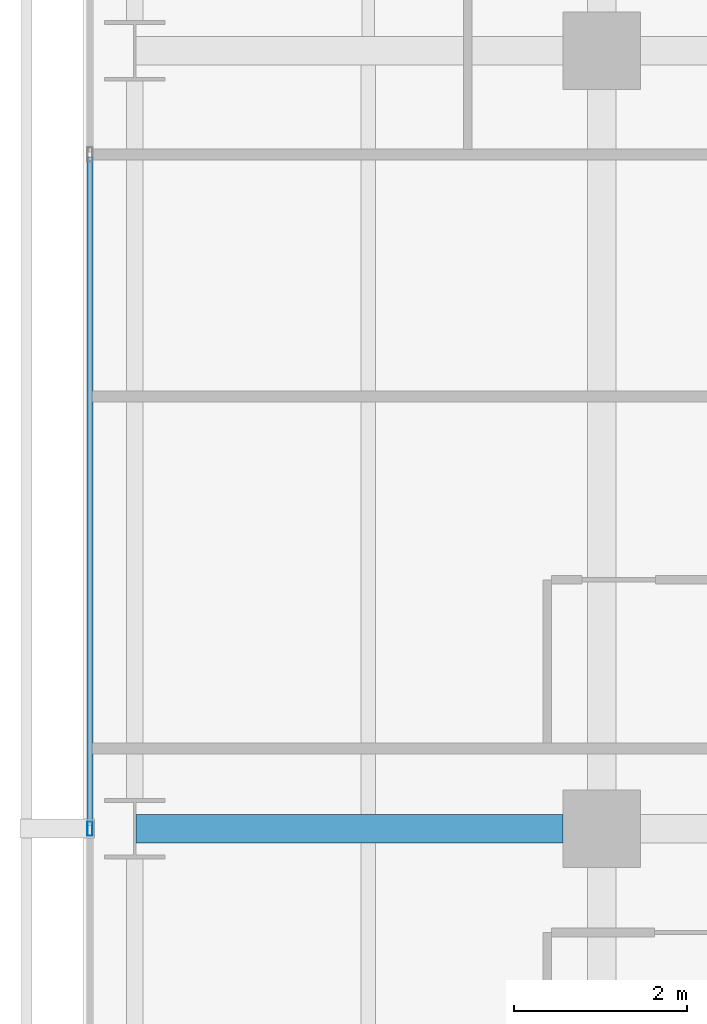
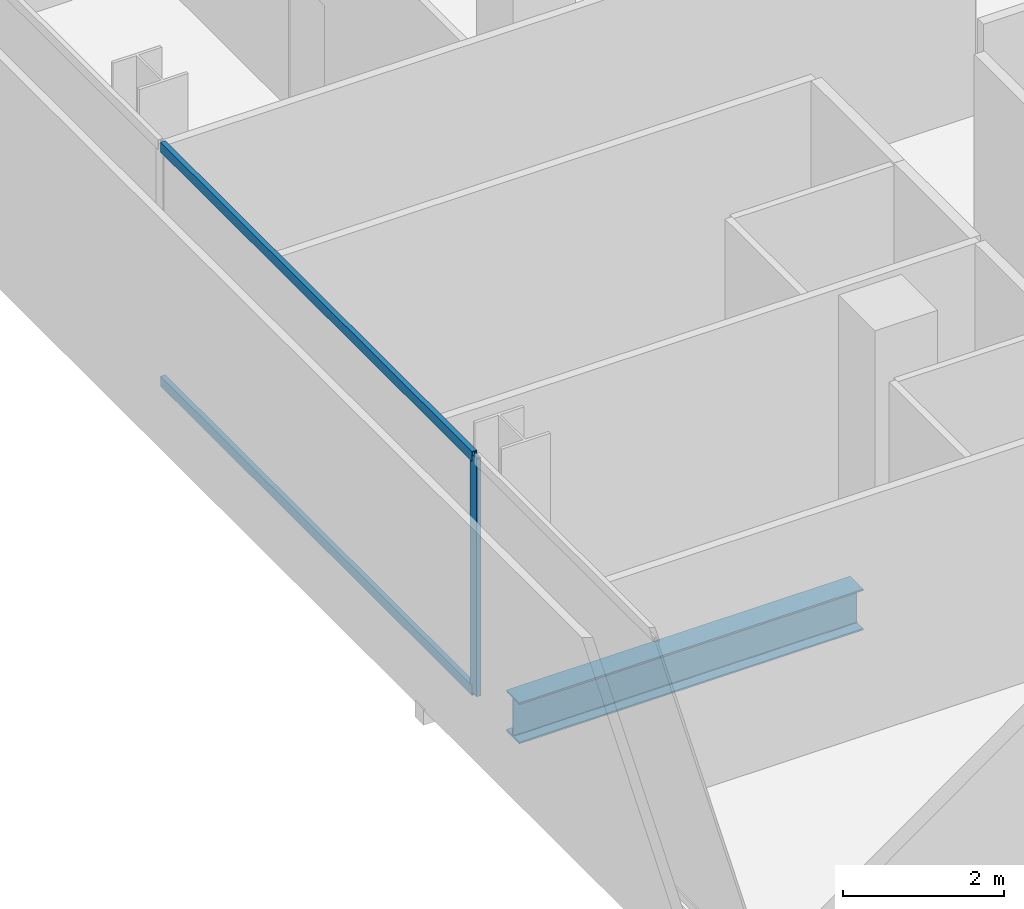
# One storey, part 12 of 40: 3 members, 1 beam, 1 element without a shape of its own.
"""IFC4 building model written with IfcOpenShell, lengths in metres."""

from ifc_helpers import new_model, si_unit, direction, frame, origin, origin_2d, place, context, subcontext, project, spatial, hollow_rectangle, i_section, extrude, material, layer, layer_set, material_profile, profile_set, type_object, element, aggregate, save


model = new_model("IFC4")

# Units and contexts
model_context = context("Model", 3, precision=1e-05, world=origin(), true_north=direction((0.0, 1.0)))
body_context = subcontext(model_context, "Body", "Model", "MODEL_VIEW")
ifc_project = project(units=[si_unit("LENGTHUNIT", "METRE"), si_unit("AREAUNIT", "SQUARE_METRE"), si_unit("VOLUMEUNIT", "CUBIC_METRE"), si_unit("PLANEANGLEUNIT", "RADIAN"), si_unit("MASSUNIT", "GRAM", prefix="KILO")], contexts=[model_context])

# Site, building, storey
site_placement = place(None, origin())
site = spatial("IfcSite", under=ifc_project, at=site_placement, CompositionType="ELEMENT")
building_placement = place(site_placement, origin())
building = spatial("IfcBuilding", under=site, at=building_placement, Name="Maruvema Waterfront Hotel and Observation Tower", CompositionType="ELEMENT")
storey_placement = place(building_placement, frame((0.0, 0.0, 53.89990234375)))
storey = spatial("IfcBuildingStorey", under=building, at=storey_placement, Name="L12", CompositionType="ELEMENT", Elevation=53.89990234375)

# Curtain wall, members
ifc_material_1 = material(Name="Anodised bronze aluminium and solar-control low-E IGU", Category="aluminium")
ifc_layer = layer(ifc_material_1, 0.159912109375, Name="Zone 1 Bronze Inner Thermal Curtain Wall System CW-02")
ifc_layer_set = layer_set([ifc_layer], Name="Anodised bronze aluminium and solar-control low-E IGU")
curtain_wall_type = type_object("IfcCurtainWallType", Name="Zone 1 Bronze Inner Thermal Curtain Wall System CW-02", PredefinedType="USERDEFINED", material=ifc_layer_set)
curtain_wall_placement = place(storey_placement, origin())
curtain_wall = element("IfcCurtainWall", 1, at=curtain_wall_placement, inside=storey, type_object=curtain_wall_type, Name="L12 Curtain Wall CW-L12-W", ObjectType="UNITISED CURTAIN WALL", PredefinedType="USERDEFINED")
ifc_material_2 = material(Name="Anodised architectural bronze aluminium", Category="aluminium")
ifc_material_profile_1 = material_profile(ifc_material_2, hollow_rectangle(XDim=0.070068359375, YDim=0.14990234375, WallThickness=0.00390625, at=origin_2d()), Name="ALU-T70x150")
ifc_profile_set_1 = profile_set([ifc_material_profile_1], Name="Anodised architectural bronze aluminium")
member_type_1 = type_object("IfcMemberType", Name="Curtain Wall Horizontal Transom ALU-T70x150", PredefinedType="USERDEFINED", material=ifc_profile_set_1)
member_1_placement = place(storey_placement, frame((10.8798828125, 34.77001953125, 0.030029296875), z_axis=(0.0, -1.0, 0.0), x_axis=(1.0, 0.0, 0.0)))
member_1 = element("IfcMember", 2, at=member_1_placement, type_object=member_type_1, Name="CW-02 transom 3.1", ObjectType="TRANSOM", PredefinedType="USERDEFINED", context=body_context, shape_type="SweptSolid", body=[
    extrude(hollow_rectangle(XDim=0.070068359375, YDim=0.14990234375, WallThickness=0.00390625, at=origin_2d()), origin(), (0.0, 0.0, 1.0), 7.739990234375),
])
member_2_placement = place(storey_placement, frame((10.8798828125, 34.77001953125, 3.580078125), z_axis=(0.0, -1.0, 0.0), x_axis=(1.0, 0.0, 0.0)))
member_2 = element("IfcMember", 3, at=member_2_placement, type_object=member_type_1, Name="CW-02 transom 3.2", ObjectType="TRANSOM", PredefinedType="USERDEFINED", context=body_context, shape_type="SweptSolid", body=[
    extrude(hollow_rectangle(XDim=0.070068359375, YDim=0.14990234375, WallThickness=0.00390625, at=origin_2d()), origin(), (0.0, 0.0, 1.0), 7.739990234375),
])
ifc_material_3 = material(Name="Anodised architectural bronze aluminium", Category="aluminium")
ifc_material_profile_2 = material_profile(ifc_material_3, hollow_rectangle(XDim=0.06494140625, YDim=0.1650390625, WallThickness=0.00390625, at=origin_2d()), Name="ALU-M65x165")
ifc_profile_set_2 = profile_set([ifc_material_profile_2], Name="Anodised architectural bronze aluminium")
member_type_2 = type_object("IfcMemberType", Name="Curtain Wall Primary Mullion ALU-M65x165", PredefinedType="MULLION", material=ifc_profile_set_2)
member_3_placement = place(storey_placement, frame((10.8798828125, 27.0, 0.0), z_axis=(0.0, 0.0, 1.0), x_axis=(1.0, 0.0, 0.0)))
member_3 = element("IfcMember", 4, at=member_3_placement, type_object=member_type_2, Name="CW-02 mullion 4", PredefinedType="MULLION", context=body_context, shape_type="SweptSolid", body=[
    extrude(hollow_rectangle(XDim=0.06494140625, YDim=0.1650390625, WallThickness=0.00390625, at=origin_2d()), origin(), (0.0, 0.0, 1.0), 3.610107421875),
])
aggregate(curtain_wall, [member_3, member_1, member_2])

# Beam
ifc_material_4 = material(Name="Steel ASTM A572 Grade 50", Category="steel")
ifc_material_profile_3 = material_profile(ifc_material_4, i_section(OverallWidth=0.326904296875, OverallDepth=0.6220703125, WebThickness=0.015380859375, FlangeThickness=0.0244140625, FilletRadius=0.01806640625, at=origin_2d()), Name="W610x195.0")
ifc_profile_set_3 = profile_set([ifc_material_profile_3], Name="Steel ASTM A572 Grade 50")
beam_type = type_object("IfcBeamType", Name="Primary Floor Girder W610x195.0", PredefinedType="BEAM", material=ifc_profile_set_3)
beam_placement = place(storey_placement, frame((11.4140625, 27.0, -0.55078125), z_axis=(1.0, 0.0, 0.0), x_axis=(0.0, 1.0, 0.0)))
element("IfcBeam", 5, at=beam_placement, inside=storey, type_object=beam_type, Name="L12 Floor Girder EW-20", PredefinedType="BEAM", context=body_context, shape_type="SweptSolid", body=[
    extrude(i_section(OverallWidth=0.326904296875, OverallDepth=0.6220703125, WebThickness=0.015380859375, FlangeThickness=0.0244140625, FilletRadius=0.01806640625, at=origin_2d()), origin(), (0.0, 0.0, 1.0), 4.93603515625),
])

save(model, "model.ifc")
